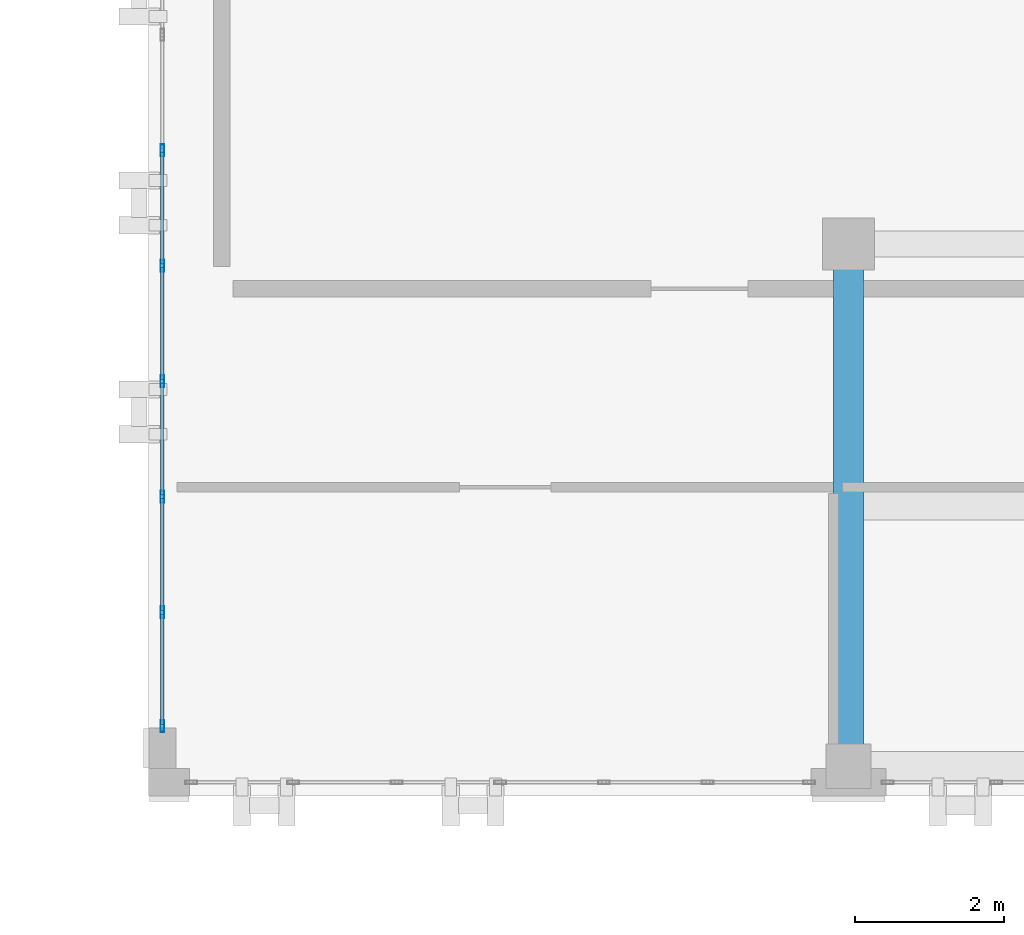
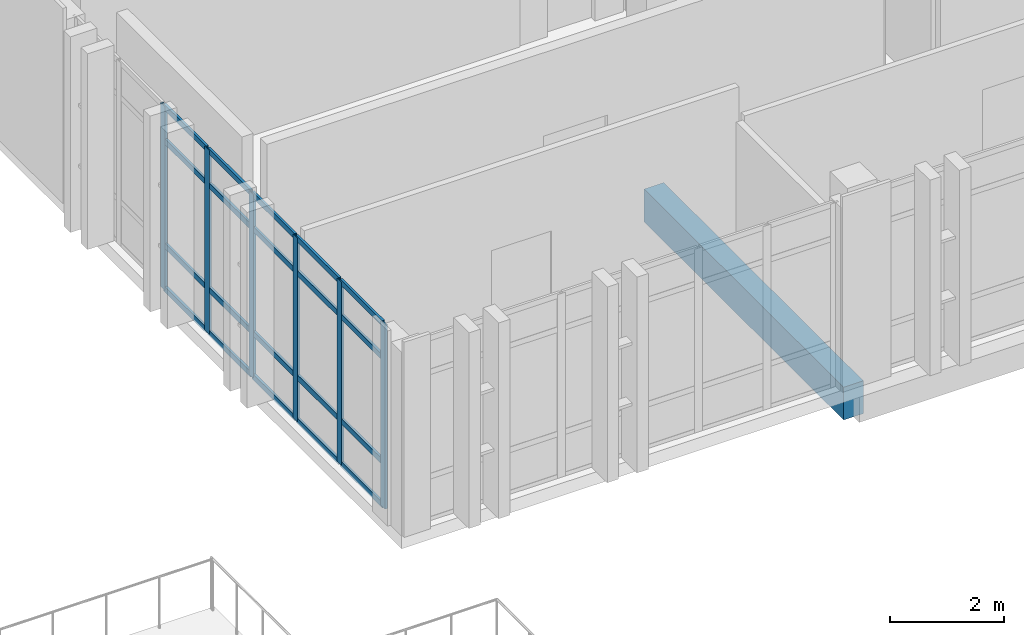
# One storey, part 21 of 77: 26 members, 1 beam, 1 element without a shape of its own.
"""IFC4 building model written with IfcOpenShell, lengths in metres."""

from ifc_helpers import new_model, si_unit, direction, frame, origin, origin_2d, place, context, subcontext, project, spatial, rectangle, hollow_rectangle, extrude, material, layer, layer_set, material_profile, profile_set, type_object, element, aggregate, save


model = new_model("IFC4")

# Units and contexts
model_context = context("Model", 3, precision=1e-05, world=origin(), true_north=direction((0.0, 1.0)))
body_context = subcontext(model_context, "Body", "Model", "MODEL_VIEW")
ifc_project = project(units=[si_unit("LENGTHUNIT", "METRE"), si_unit("AREAUNIT", "SQUARE_METRE"), si_unit("VOLUMEUNIT", "CUBIC_METRE"), si_unit("PLANEANGLEUNIT", "RADIAN"), si_unit("MASSUNIT", "GRAM", prefix="KILO")], contexts=[model_context])

# Site, building, storey
site_placement = place(None, origin())
site = spatial("IfcSite", under=ifc_project, at=site_placement, CompositionType="ELEMENT")
building_placement = place(site_placement, origin())
building = spatial("IfcBuilding", under=site, at=building_placement, Name="Qalavern Law Courts", CompositionType="ELEMENT")
storey_placement = place(building_placement, frame((0.0, 0.0, 27.0)))
storey = spatial("IfcBuildingStorey", under=building, at=storey_placement, Name="L06", CompositionType="ELEMENT", Elevation=27.0)

# Curtain wall, members
ifc_material_1 = material(Name="Anodised aluminium and insulated glazing", Category="aluminium")
ifc_layer = layer(ifc_material_1, 0.166015625)
ifc_layer_set = layer_set([ifc_layer], Name="Anodised aluminium and insulated glazing")
curtain_wall_type = type_object("IfcCurtainWallType", Name="ENV-CW-LIB", PredefinedType="USERDEFINED", material=ifc_layer_set)
curtain_wall_placement = place(storey_placement, origin())
curtain_wall = element("IfcCurtainWall", 1, at=curtain_wall_placement, inside=storey, type_object=curtain_wall_type, Name="V5 unitised curtain wall L06 west 1", ObjectType="UNITISED CURTAIN WALL", PredefinedType="USERDEFINED")
ifc_material_2 = material(Name="Anodised aluminium", Category="aluminium")
ifc_material_profile_1 = material_profile(ifc_material_2, hollow_rectangle(XDim=0.048095703125, YDim=0.159912109375, WallThickness=0.00390625, at=origin_2d()), Name="ALU MULLION 48x160")
ifc_profile_set_1 = profile_set([ifc_material_profile_1], Name="Anodised aluminium")
member_type_1 = type_object("IfcMemberType", Name="ENV-CWM-48x160", PredefinedType="MULLION", material=ifc_profile_set_1)
member_1_placement = place(storey_placement, frame((19.205078125, 104.854248046875, 0.0), z_axis=(0.0, 0.0, 1.0), x_axis=(1.0, 0.0, 0.0)))
member_1 = element("IfcMember", 2, at=member_1_placement, type_object=member_type_1, Name="CW-05 mullion 3", PredefinedType="MULLION", context=body_context, shape_type="SweptSolid", body=[
    extrude(hollow_rectangle(XDim=0.048095703125, YDim=0.159912109375, WallThickness=0.00390625, at=origin_2d()), origin(), (0.0, 0.0, 1.0), 3.93505859375),
])
member_2_placement = place(storey_placement, frame((19.205078125, 103.306396484375, 0.0), z_axis=(0.0, 0.0, 1.0), x_axis=(1.0, 0.0, 0.0)))
member_2 = element("IfcMember", 3, at=member_2_placement, type_object=member_type_1, Name="CW-05 mullion 4", PredefinedType="MULLION", context=body_context, shape_type="SweptSolid", body=[
    extrude(hollow_rectangle(XDim=0.048095703125, YDim=0.159912109375, WallThickness=0.00390625, at=origin_2d()), origin(), (0.0, 0.0, 1.0), 3.93505859375),
])
member_3_placement = place(storey_placement, frame((19.205078125, 101.758544921875, 0.0), z_axis=(0.0, 0.0, 1.0), x_axis=(1.0, 0.0, 0.0)))
member_3 = element("IfcMember", 4, at=member_3_placement, type_object=member_type_1, Name="CW-05 mullion 5", PredefinedType="MULLION", context=body_context, shape_type="SweptSolid", body=[
    extrude(hollow_rectangle(XDim=0.048095703125, YDim=0.159912109375, WallThickness=0.00390625, at=origin_2d()), origin(), (0.0, 0.0, 1.0), 3.93505859375),
])
member_4_placement = place(storey_placement, frame((19.205078125, 100.210693359375, 0.0), z_axis=(0.0, 0.0, 1.0), x_axis=(1.0, 0.0, 0.0)))
member_4 = element("IfcMember", 5, at=member_4_placement, type_object=member_type_1, Name="CW-05 mullion 6", PredefinedType="MULLION", context=body_context, shape_type="SweptSolid", body=[
    extrude(hollow_rectangle(XDim=0.048095703125, YDim=0.159912109375, WallThickness=0.00390625, at=origin_2d()), origin(), (0.0, 0.0, 1.0), 3.93505859375),
])
member_5_placement = place(storey_placement, frame((19.205078125, 98.662841796875, 0.0), z_axis=(0.0, 0.0, 1.0), x_axis=(1.0, 0.0, 0.0)))
member_5 = element("IfcMember", 6, at=member_5_placement, type_object=member_type_1, Name="CW-05 mullion 7", PredefinedType="MULLION", context=body_context, shape_type="SweptSolid", body=[
    extrude(hollow_rectangle(XDim=0.048095703125, YDim=0.159912109375, WallThickness=0.00390625, at=origin_2d()), origin(), (0.0, 0.0, 1.0), 3.93505859375),
])
member_6_placement = place(storey_placement, frame((19.205078125, 97.138916015625, 0.0), z_axis=(0.0, 0.0, 1.0), x_axis=(1.0, 0.0, 0.0)))
member_6 = element("IfcMember", 7, at=member_6_placement, type_object=member_type_1, Name="CW-05 mullion 8", PredefinedType="MULLION", context=body_context, shape_type="SweptSolid", body=[
    extrude(hollow_rectangle(XDim=0.048095703125, YDim=0.159912109375, WallThickness=0.00390625, at=origin_2d()), origin(), (0.0, 0.0, 1.0), 3.93505859375),
])
ifc_material_profile_2 = material_profile(ifc_material_2, hollow_rectangle(XDim=0.048095703125, YDim=0.1201171875, WallThickness=0.00390625, at=origin_2d()), Name="ALU TRANSOM 48x120")
ifc_profile_set_2 = profile_set([ifc_material_profile_2], Name="Anodised aluminium")
member_type_2 = type_object("IfcMemberType", Name="ENV-CWT-48x120", PredefinedType="USERDEFINED", material=ifc_profile_set_2)
member_7_placement = place(storey_placement, frame((19.205078125, 104.830322265625, 0.02392578125), z_axis=(0.0, -1.0, 0.0), x_axis=(1.0, 0.0, 0.0)))
member_7 = element("IfcMember", 8, at=member_7_placement, type_object=member_type_2, Name="CW-05 transom 3.1", ObjectType="TRANSOM", PredefinedType="USERDEFINED", context=body_context, shape_type="SweptSolid", body=[
    extrude(hollow_rectangle(XDim=0.048095703125, YDim=0.1201171875, WallThickness=0.00390625, at=origin_2d()), origin(), (0.0, 0.0, 1.0), 1.5),
])
member_8_placement = place(storey_placement, frame((19.205078125, 104.830322265625, 0.949951171875), z_axis=(0.0, -1.0, 0.0), x_axis=(1.0, 0.0, 0.0)))
member_8 = element("IfcMember", 9, at=member_8_placement, type_object=member_type_2, Name="CW-05 transom 3.2", ObjectType="TRANSOM", PredefinedType="USERDEFINED", context=body_context, shape_type="SweptSolid", body=[
    extrude(hollow_rectangle(XDim=0.048095703125, YDim=0.1201171875, WallThickness=0.00390625, at=origin_2d()), origin(), (0.0, 0.0, 1.0), 1.5),
])
member_9_placement = place(storey_placement, frame((19.205078125, 104.830322265625, 3.18505859375), z_axis=(0.0, -1.0, 0.0), x_axis=(1.0, 0.0, 0.0)))
member_9 = element("IfcMember", 10, at=member_9_placement, type_object=member_type_2, Name="CW-05 transom 3.3", ObjectType="TRANSOM", PredefinedType="USERDEFINED", context=body_context, shape_type="SweptSolid", body=[
    extrude(hollow_rectangle(XDim=0.048095703125, YDim=0.1201171875, WallThickness=0.00390625, at=origin_2d()), origin(), (0.0, 0.0, 1.0), 1.5),
])
member_10_placement = place(storey_placement, frame((19.205078125, 104.830322265625, 3.910888671875), z_axis=(0.0, -1.0, 0.0), x_axis=(1.0, 0.0, 0.0)))
member_10 = element("IfcMember", 11, at=member_10_placement, type_object=member_type_2, Name="CW-05 transom 3.4", ObjectType="TRANSOM", PredefinedType="USERDEFINED", context=body_context, shape_type="SweptSolid", body=[
    extrude(hollow_rectangle(XDim=0.048095703125, YDim=0.1201171875, WallThickness=0.00390625, at=origin_2d()), origin(), (0.0, 0.0, 1.0), 1.5),
])
member_11_placement = place(storey_placement, frame((19.205078125, 103.282470703125, 0.02392578125), z_axis=(0.0, -1.0, 0.0), x_axis=(1.0, 0.0, 0.0)))
member_11 = element("IfcMember", 12, at=member_11_placement, type_object=member_type_2, Name="CW-05 transom 4.1", ObjectType="TRANSOM", PredefinedType="USERDEFINED", context=body_context, shape_type="SweptSolid", body=[
    extrude(hollow_rectangle(XDim=0.048095703125, YDim=0.1201171875, WallThickness=0.00390625, at=origin_2d()), origin(), (0.0, 0.0, 1.0), 1.5),
])
member_12_placement = place(storey_placement, frame((19.205078125, 103.282470703125, 0.949951171875), z_axis=(0.0, -1.0, 0.0), x_axis=(1.0, 0.0, 0.0)))
member_12 = element("IfcMember", 13, at=member_12_placement, type_object=member_type_2, Name="CW-05 transom 4.2", ObjectType="TRANSOM", PredefinedType="USERDEFINED", context=body_context, shape_type="SweptSolid", body=[
    extrude(hollow_rectangle(XDim=0.048095703125, YDim=0.1201171875, WallThickness=0.00390625, at=origin_2d()), origin(), (0.0, 0.0, 1.0), 1.5),
])
member_13_placement = place(storey_placement, frame((19.205078125, 103.282470703125, 3.18505859375), z_axis=(0.0, -1.0, 0.0), x_axis=(1.0, 0.0, 0.0)))
member_13 = element("IfcMember", 14, at=member_13_placement, type_object=member_type_2, Name="CW-05 transom 4.3", ObjectType="TRANSOM", PredefinedType="USERDEFINED", context=body_context, shape_type="SweptSolid", body=[
    extrude(hollow_rectangle(XDim=0.048095703125, YDim=0.1201171875, WallThickness=0.00390625, at=origin_2d()), origin(), (0.0, 0.0, 1.0), 1.5),
])
member_14_placement = place(storey_placement, frame((19.205078125, 103.282470703125, 3.910888671875), z_axis=(0.0, -1.0, 0.0), x_axis=(1.0, 0.0, 0.0)))
member_14 = element("IfcMember", 15, at=member_14_placement, type_object=member_type_2, Name="CW-05 transom 4.4", ObjectType="TRANSOM", PredefinedType="USERDEFINED", context=body_context, shape_type="SweptSolid", body=[
    extrude(hollow_rectangle(XDim=0.048095703125, YDim=0.1201171875, WallThickness=0.00390625, at=origin_2d()), origin(), (0.0, 0.0, 1.0), 1.5),
])
member_15_placement = place(storey_placement, frame((19.205078125, 101.734619140625, 0.02392578125), z_axis=(0.0, -1.0, 0.0), x_axis=(1.0, 0.0, 0.0)))
member_15 = element("IfcMember", 16, at=member_15_placement, type_object=member_type_2, Name="CW-05 transom 5.1", ObjectType="TRANSOM", PredefinedType="USERDEFINED", context=body_context, shape_type="SweptSolid", body=[
    extrude(hollow_rectangle(XDim=0.048095703125, YDim=0.1201171875, WallThickness=0.00390625, at=origin_2d()), origin(), (0.0, 0.0, 1.0), 1.5),
])
member_16_placement = place(storey_placement, frame((19.205078125, 101.734619140625, 0.949951171875), z_axis=(0.0, -1.0, 0.0), x_axis=(1.0, 0.0, 0.0)))
member_16 = element("IfcMember", 17, at=member_16_placement, type_object=member_type_2, Name="CW-05 transom 5.2", ObjectType="TRANSOM", PredefinedType="USERDEFINED", context=body_context, shape_type="SweptSolid", body=[
    extrude(hollow_rectangle(XDim=0.048095703125, YDim=0.1201171875, WallThickness=0.00390625, at=origin_2d()), origin(), (0.0, 0.0, 1.0), 1.5),
])
member_17_placement = place(storey_placement, frame((19.205078125, 101.734619140625, 3.18505859375), z_axis=(0.0, -1.0, 0.0), x_axis=(1.0, 0.0, 0.0)))
member_17 = element("IfcMember", 18, at=member_17_placement, type_object=member_type_2, Name="CW-05 transom 5.3", ObjectType="TRANSOM", PredefinedType="USERDEFINED", context=body_context, shape_type="SweptSolid", body=[
    extrude(hollow_rectangle(XDim=0.048095703125, YDim=0.1201171875, WallThickness=0.00390625, at=origin_2d()), origin(), (0.0, 0.0, 1.0), 1.5),
])
member_18_placement = place(storey_placement, frame((19.205078125, 101.734619140625, 3.910888671875), z_axis=(0.0, -1.0, 0.0), x_axis=(1.0, 0.0, 0.0)))
member_18 = element("IfcMember", 19, at=member_18_placement, type_object=member_type_2, Name="CW-05 transom 5.4", ObjectType="TRANSOM", PredefinedType="USERDEFINED", context=body_context, shape_type="SweptSolid", body=[
    extrude(hollow_rectangle(XDim=0.048095703125, YDim=0.1201171875, WallThickness=0.00390625, at=origin_2d()), origin(), (0.0, 0.0, 1.0), 1.5),
])
member_19_placement = place(storey_placement, frame((19.205078125, 100.186767578125, 0.02392578125), z_axis=(0.0, -1.0, 0.0), x_axis=(1.0, 0.0, 0.0)))
member_19 = element("IfcMember", 20, at=member_19_placement, type_object=member_type_2, Name="CW-05 transom 6.1", ObjectType="TRANSOM", PredefinedType="USERDEFINED", context=body_context, shape_type="SweptSolid", body=[
    extrude(hollow_rectangle(XDim=0.048095703125, YDim=0.1201171875, WallThickness=0.00390625, at=origin_2d()), origin(), (0.0, 0.0, 1.0), 1.5),
])
member_20_placement = place(storey_placement, frame((19.205078125, 100.186767578125, 0.949951171875), z_axis=(0.0, -1.0, 0.0), x_axis=(1.0, 0.0, 0.0)))
member_20 = element("IfcMember", 21, at=member_20_placement, type_object=member_type_2, Name="CW-05 transom 6.2", ObjectType="TRANSOM", PredefinedType="USERDEFINED", context=body_context, shape_type="SweptSolid", body=[
    extrude(hollow_rectangle(XDim=0.048095703125, YDim=0.1201171875, WallThickness=0.00390625, at=origin_2d()), origin(), (0.0, 0.0, 1.0), 1.5),
])
member_21_placement = place(storey_placement, frame((19.205078125, 100.186767578125, 3.18505859375), z_axis=(0.0, -1.0, 0.0), x_axis=(1.0, 0.0, 0.0)))
member_21 = element("IfcMember", 22, at=member_21_placement, type_object=member_type_2, Name="CW-05 transom 6.3", ObjectType="TRANSOM", PredefinedType="USERDEFINED", context=body_context, shape_type="SweptSolid", body=[
    extrude(hollow_rectangle(XDim=0.048095703125, YDim=0.1201171875, WallThickness=0.00390625, at=origin_2d()), origin(), (0.0, 0.0, 1.0), 1.5),
])
member_22_placement = place(storey_placement, frame((19.205078125, 100.186767578125, 3.910888671875), z_axis=(0.0, -1.0, 0.0), x_axis=(1.0, 0.0, 0.0)))
member_22 = element("IfcMember", 23, at=member_22_placement, type_object=member_type_2, Name="CW-05 transom 6.4", ObjectType="TRANSOM", PredefinedType="USERDEFINED", context=body_context, shape_type="SweptSolid", body=[
    extrude(hollow_rectangle(XDim=0.048095703125, YDim=0.1201171875, WallThickness=0.00390625, at=origin_2d()), origin(), (0.0, 0.0, 1.0), 1.5),
])
member_23_placement = place(storey_placement, frame((19.205078125, 98.638916015625, 0.02392578125), z_axis=(0.0, -1.0, 0.0), x_axis=(1.0, 0.0, 0.0)))
member_23 = element("IfcMember", 24, at=member_23_placement, type_object=member_type_2, Name="CW-05 transom 7.1", ObjectType="TRANSOM", PredefinedType="USERDEFINED", context=body_context, shape_type="SweptSolid", body=[
    extrude(hollow_rectangle(XDim=0.048095703125, YDim=0.1201171875, WallThickness=0.00390625, at=origin_2d()), origin(), (0.0, 0.0, 1.0), 1.475830078125),
])
member_24_placement = place(storey_placement, frame((19.205078125, 98.638916015625, 0.949951171875), z_axis=(0.0, -1.0, 0.0), x_axis=(1.0, 0.0, 0.0)))
member_24 = element("IfcMember", 25, at=member_24_placement, type_object=member_type_2, Name="CW-05 transom 7.2", ObjectType="TRANSOM", PredefinedType="USERDEFINED", context=body_context, shape_type="SweptSolid", body=[
    extrude(hollow_rectangle(XDim=0.048095703125, YDim=0.1201171875, WallThickness=0.00390625, at=origin_2d()), origin(), (0.0, 0.0, 1.0), 1.475830078125),
])
member_25_placement = place(storey_placement, frame((19.205078125, 98.638916015625, 3.18505859375), z_axis=(0.0, -1.0, 0.0), x_axis=(1.0, 0.0, 0.0)))
member_25 = element("IfcMember", 26, at=member_25_placement, type_object=member_type_2, Name="CW-05 transom 7.3", ObjectType="TRANSOM", PredefinedType="USERDEFINED", context=body_context, shape_type="SweptSolid", body=[
    extrude(hollow_rectangle(XDim=0.048095703125, YDim=0.1201171875, WallThickness=0.00390625, at=origin_2d()), origin(), (0.0, 0.0, 1.0), 1.475830078125),
])
member_26_placement = place(storey_placement, frame((19.205078125, 98.638916015625, 3.910888671875), z_axis=(0.0, -1.0, 0.0), x_axis=(1.0, 0.0, 0.0)))
member_26 = element("IfcMember", 27, at=member_26_placement, type_object=member_type_2, Name="CW-05 transom 7.4", ObjectType="TRANSOM", PredefinedType="USERDEFINED", context=body_context, shape_type="SweptSolid", body=[
    extrude(hollow_rectangle(XDim=0.048095703125, YDim=0.1201171875, WallThickness=0.00390625, at=origin_2d()), origin(), (0.0, 0.0, 1.0), 1.475830078125),
])
aggregate(curtain_wall, [member_1, member_2, member_3, member_4, member_5, member_6, member_7, member_8, member_9, member_10, member_11, member_12, member_13, member_14, member_15, member_16, member_17, member_18, member_19, member_20, member_21, member_22, member_23, member_24, member_25, member_26])

# Beam
ifc_material_3 = material(Name="Concrete C40/50", Category="concrete")
ifc_material_profile_3 = material_profile(ifc_material_3, rectangle(XDim=0.39990234375, YDim=0.699951171875, at=origin_2d()), Name="RC 400x700")
ifc_profile_set_3 = profile_set([ifc_material_profile_3], Name="Concrete C40/50")
beam_type = type_object("IfcBeamType", Name="STR-SP-RC400x700", PredefinedType="SPANDREL", material=ifc_profile_set_3)
beam_placement = place(storey_placement, frame((28.39990234375, 96.60009765625, -0.6201171875), z_axis=(0.0, 1.0, 0.0), x_axis=(-1.0, 0.0, 0.0)))
element("IfcBeam", 28, at=beam_placement, inside=storey, type_object=beam_type, Name="V5 Y-beam 1-1 L06", PredefinedType="SPANDREL", context=body_context, shape_type="SweptSolid", body=[
    extrude(rectangle(XDim=0.39990234375, YDim=0.699951171875, at=origin_2d()), origin(), (0.0, 0.0, 1.0), 7.0),
])

save(model, "model.ifc")
